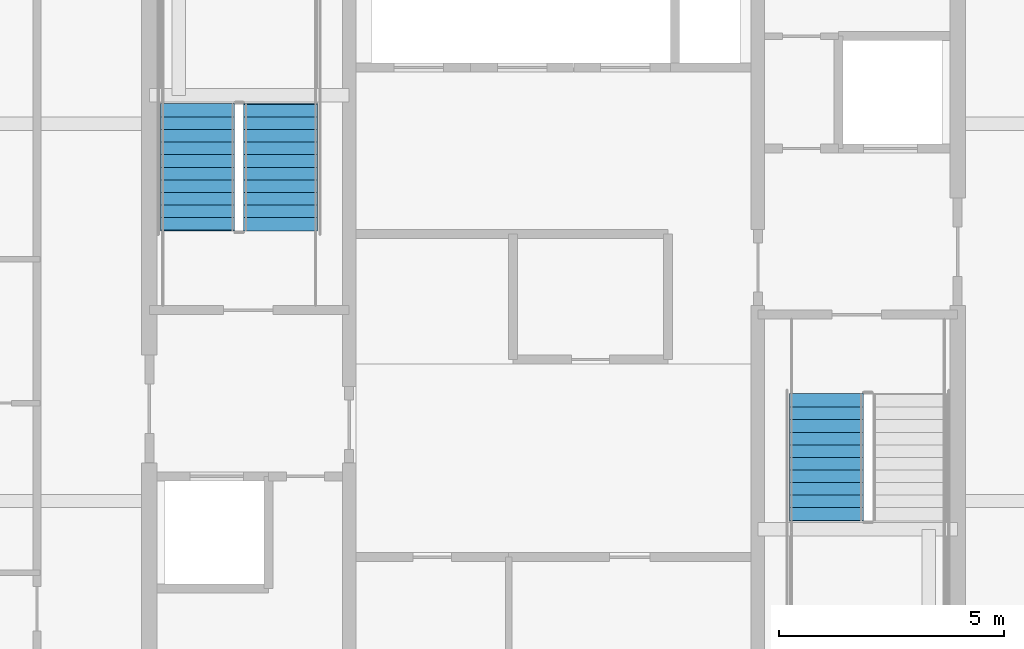
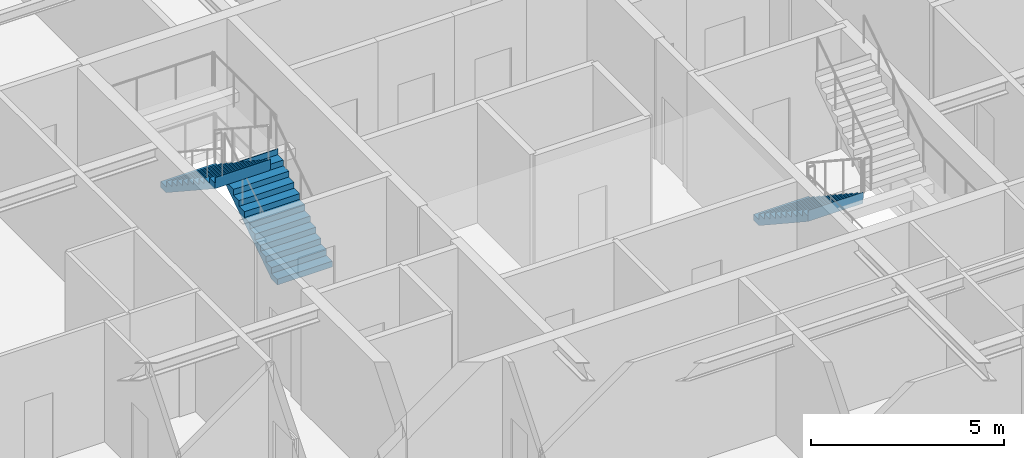
# One storey, part 32 of 38: 3 stair flights, 2 elements without a shape of their own.
"""IFC4 building model written with IfcOpenShell, lengths in metres."""

import ifcopenshell
import ifcopenshell.guid

model = None  # the IFC model being written
_history = None  # IfcOwnerHistory: only IFC2X3 demands one
_inside = {}  # id of a spatial element -> (the spatial element, [elements in it])
_under = {}  # id of a project, library or spatial element -> (it, [spatial elements below it])
_declared = {}  # id of a project -> (the project, [libraries it declares])
_typed = {}  # id of a type object -> (the type object, [elements of that type])
_made_of = {}  # id of a material, layer set ... -> (it, [elements and type objects made of it])


def new_model(schema):
    """Start an empty IFC model of exactly this schema.

    Asked for "IFC4X3", IfcOpenShell would pick the latest addendum, in which some entities
    have other attributes; the version numbers below select the first issue.
    IFC2X3 requires an IfcOwnerHistory on every rooted entity: one is made here for all.
    """
    global model, _history
    if schema == "IFC4X3":
        model = ifcopenshell.file(schema_version=(4, 3, 0, 0))
    else:
        model = ifcopenshell.file(schema=schema)
    _inside.clear()
    _under.clear()
    _declared.clear()
    _typed.clear()
    _made_of.clear()
    _history = None
    if model.schema == "IFC2X3":
        org = make("IfcOrganization", Name="unknown")
        user = make(
            "IfcPersonAndOrganization",
            ThePerson=make("IfcPerson", FamilyName="unknown"),
            TheOrganization=org,
        )
        app = make(
            "IfcApplication",
            ApplicationDeveloper=org,
            Version="unknown",
            ApplicationFullName="unknown",
            ApplicationIdentifier="unknown",
        )
        _history = make(
            "IfcOwnerHistory",
            OwningUser=user,
            OwningApplication=app,
            ChangeAction="ADDED",
            CreationDate=0,
        )
    return model


def make(cls, **values):
    """One entity of the class cls with the attributes given. An attribute that is None is left unset."""
    return model.create_entity(
        cls, **{name: value for name, value in values.items() if value is not None}
    )


def rooted(cls, **values):
    """An entity with a GlobalId (a new one), such as an element, a storey or a relation."""
    return make(cls, GlobalId=ifcopenshell.guid.new(), OwnerHistory=_history, **values)


def si_unit(unit_type, name, prefix=None):
    """IfcSIUnit, for example si_unit("LENGTHUNIT", "METRE", prefix="MILLI")."""
    return make("IfcSIUnit", UnitType=unit_type, Prefix=prefix, Name=name)


def assignment(units):
    """IfcUnitAssignment: the units of a project."""
    return None if units is None else make("IfcUnitAssignment", Units=units)


def point(xyz):
    """IfcCartesianPoint."""
    return None if xyz is None else make("IfcCartesianPoint", Coordinates=xyz)


def direction(xyz):
    """IfcDirection."""
    return None if xyz is None else make("IfcDirection", DirectionRatios=xyz)


def frame(location, z_axis=None, x_axis=None):
    """IfcAxis2Placement3D, a coordinate frame: its origin and axes. An axis left out is left unset."""
    return make(
        "IfcAxis2Placement3D",
        Location=point(location),
        Axis=direction(z_axis),
        RefDirection=direction(x_axis),
    )


def origin():
    """The frame at (0, 0, 0) with its axes left unset."""
    return frame((0.0, 0.0, 0.0))


def place(relative_to, where):
    """IfcLocalPlacement: puts the frame where relative to a parent placement (None: the world)."""
    return make(
        "IfcLocalPlacement", PlacementRelTo=relative_to, RelativePlacement=where
    )


def context(
    kind, dimensions, precision=None, world=None, true_north=None, identifier=None
):
    """IfcGeometricRepresentationContext, for example the 3D "Model" context."""
    return make(
        "IfcGeometricRepresentationContext",
        ContextIdentifier=identifier,
        ContextType=kind,
        CoordinateSpaceDimension=dimensions,
        Precision=precision,
        WorldCoordinateSystem=world,
        TrueNorth=true_north,
    )


def subcontext(parent, identifier, kind, view, scale=None):
    """IfcGeometricRepresentationSubContext, for example "Body" below "Model"."""
    return make(
        "IfcGeometricRepresentationSubContext",
        ContextIdentifier=identifier,
        ContextType=kind,
        ParentContext=parent,
        TargetScale=scale,
        TargetView=view,
    )


def project(units=None, contexts=None):
    """IfcProject with its units and contexts."""
    return rooted(
        "IfcProject",
        Name="project",
        RepresentationContexts=contexts,
        UnitsInContext=assignment(units),
    )


def spatial(cls, under=None, at=None, **own):
    """A site, building, storey or space (cls), placed at a placement, below another one or the project."""
    s = rooted(cls, ObjectPlacement=at, **own)
    if under is not None:
        _under.setdefault(under.id(), (under, []))[1].append(s)
    return s


def point_list(points):
    """IfcCartesianPointList2D or 3D."""
    cls = (
        "IfcCartesianPointList2D" if len(points[0]) == 2 else "IfcCartesianPointList3D"
    )
    return make(cls, CoordList=points)


def polygons(points, faces, closed=None, point_numbers=None):
    """IfcPolygonalFaceSet: a face is its outer loop, then its inner loops; points numbered from 1."""
    made = []
    for loops in faces:
        if len(loops) == 1:
            made.append(make("IfcIndexedPolygonalFace", CoordIndex=loops[0]))
        else:
            made.append(
                make(
                    "IfcIndexedPolygonalFaceWithVoids",
                    CoordIndex=loops[0],
                    InnerCoordIndices=loops[1:],
                )
            )
    return make(
        "IfcPolygonalFaceSet",
        Coordinates=point_list(points),
        Closed=closed,
        Faces=made,
        PnIndex=point_numbers,
    )


def shape(context_of_items, identifier, shape_type, items):
    """IfcShapeRepresentation: the items that make up one representation, for example the "Body"."""
    return make(
        "IfcShapeRepresentation",
        ContextOfItems=context_of_items,
        RepresentationIdentifier=identifier,
        RepresentationType=shape_type,
        Items=items,
    )


def material(Name=None, Category=None):
    """IfcMaterial."""
    return make("IfcMaterial", Name=Name, Category=Category)


def made_of(thing, what):
    """Note that an element or type object is made of a material, layer set ...; save() writes the relation."""
    if what is not None:
        _made_of.setdefault(what.id(), (what, []))[1].append(thing)
    return thing


def type_object(cls, material=None, **own):
    """A type object (cls), such as IfcWallType, which elements share."""
    return made_of(rooted(cls, **own), material)


def element(
    cls,
    number,
    at=None,
    inside=None,
    cuts=None,
    type_object=None,
    material=None,
    context=None,
    identifier="Body",
    shape_type=None,
    held_by="IfcProductDefinitionShape",
    body=None,
    shapes=None,
    **own,
):
    """One element of the class cls, such as IfcWall. Its Tag is "e" and its number.

    at: its placement. inside: the storey or other place that contains it. cuts: it is an
    opening in that element (IfcRelVoidsElement). A single representation is given by context,
    identifier, shape_type and body (its items); several are given by shapes. held_by: the class
    of the entity that holds the representations. save() writes the other relations.
    """
    e = rooted(cls, Tag="e%d" % number, ObjectPlacement=at, **own)
    if body is not None:
        shapes = [shape(context, identifier, shape_type, body)]
    if shapes is not None:
        e.Representation = make(held_by, Representations=shapes)
    if inside is not None:
        _inside.setdefault(inside.id(), (inside, []))[1].append(e)
    if cuts is not None:
        rooted(
            "IfcRelVoidsElement", RelatingBuildingElement=cuts, RelatedOpeningElement=e
        )
    if type_object is not None:
        _typed.setdefault(type_object.id(), (type_object, []))[1].append(e)
    return made_of(e, material)


def aggregate(whole, parts):
    """IfcRelAggregates: a whole, such as a stair, and the parts it consists of."""
    return rooted("IfcRelAggregates", RelatingObject=whole, RelatedObjects=parts)


def save(model, path):
    """Write the relations noted so far, then the file.

    IfcRelAggregates (storeys below a building ...), IfcRelContainedInSpatialStructure (elements
    in a storey), IfcRelDefinesByType, IfcRelAssociatesMaterial and IfcRelDeclares: one each for
    every whole, place, type object, material and project.
    """
    for whole, parts in _under.values():
        aggregate(whole, parts)
    for where, things in _inside.values():
        rooted(
            "IfcRelContainedInSpatialStructure",
            RelatedElements=things,
            RelatingStructure=where,
        )
    for kind, things in _typed.values():
        rooted("IfcRelDefinesByType", RelatedObjects=things, RelatingType=kind)
    for what, things in _made_of.values():
        rooted("IfcRelAssociatesMaterial", RelatedObjects=things, RelatingMaterial=what)
    for by, libraries in _declared.values():
        rooted("IfcRelDeclares", RelatingContext=by, RelatedDefinitions=libraries)
    model.write(path)


model = new_model("IFC4")

# Units and contexts
model_context = context("Model", 3, precision=1e-05, world=origin(), true_north=direction((0.0, 1.0)))
body_context = subcontext(model_context, "Body", "Model", "MODEL_VIEW")
ifc_project = project(units=[si_unit("LENGTHUNIT", "METRE"), si_unit("AREAUNIT", "SQUARE_METRE"), si_unit("VOLUMEUNIT", "CUBIC_METRE"), si_unit("PLANEANGLEUNIT", "RADIAN"), si_unit("MASSUNIT", "GRAM", prefix="KILO")], contexts=[model_context])

# Site, building, storey
site_placement = place(None, origin())
site = spatial("IfcSite", under=ifc_project, at=site_placement, CompositionType="ELEMENT")
building_placement = place(site_placement, origin())
building = spatial("IfcBuilding", under=site, at=building_placement, Name="Serunith Strait Residences", CompositionType="ELEMENT")
storey_placement = place(building_placement, frame((0.0, 0.0, 321.800048828125)))
storey = spatial("IfcBuildingStorey", under=building, at=storey_placement, Name="L80", CompositionType="ELEMENT", Elevation=321.800048828125)

# Stair, stair flights
ifc_material = material(Name="Concrete C50/60", Category="concrete")
stair_type_1 = type_object("IfcStairType", Name="STR-CORE-1", PredefinedType="HALF_TURN_STAIR", material=ifc_material)
stair_1_placement = place(storey_placement, origin())
stair_1 = element("IfcStair", 1, at=stair_1_placement, inside=storey, type_object=stair_type_1, Name="L80 Protected Escape Stair ST-1", PredefinedType="HALF_TURN_STAIR")
stair_flight_type_1 = type_object("IfcStairFlightType", Name="FLT-CORE-1", PredefinedType="STRAIGHT", material=ifc_material)
stair_flight_1_placement = place(storey_placement, frame((26.324951171875, 27.030029296875, 0.0), z_axis=(0.0, 0.0, 1.0), x_axis=(0.0, 1.0, 0.0)))
stair_flight_1 = element("IfcStairFlight", 2, at=stair_flight_1_placement, type_object=stair_flight_type_1, Name="ST-1 flight 1", NumberOfRisers=11, NumberOfTreads=10, PredefinedType="STRAIGHT", RiserHeight=0.184090909, TreadLength=0.28, context=body_context, shape_type="Tessellation", body=[
    polygons([(-0.02001953125, -0.824951171875, 0.0), (-0.02001953125, -0.824951171875, 0.18408203125), (0.280029296875, -0.824951171875, 0.18408203125), (0.280029296875, -0.824951171875, 0.3681640625), (0.56005859375, -0.824951171875, 0.3681640625), (0.56005859375, -0.824951171875, 0.55224609375), (0.840087890625, -0.824951171875, 0.55224609375), (0.840087890625, -0.824951171875, 0.736328125), (1.1201171875, -0.824951171875, 0.736328125), (1.1201171875, -0.824951171875, 0.92041015625), (1.39990234375, -0.824951171875, 0.92041015625), (1.39990234375, -0.824951171875, 1.1044921875), (1.679931640625, -0.824951171875, 1.1044921875), (1.679931640625, -0.824951171875, 1.28857421875), (1.9599609375, -0.824951171875, 1.28857421875), (1.9599609375, -0.824951171875, 1.47265625), (2.239990234375, -0.824951171875, 1.47265625), (2.239990234375, -0.824951171875, 1.65673828125), (2.52001953125, -0.824951171875, 1.65673828125), (2.52001953125, -0.824951171875, 1.8408203125), (2.800048828125, -0.824951171875, 1.8408203125), (2.800048828125, -0.824951171875, 2.02490234375), (2.820068359375, -0.824951171875, 2.02490234375), (2.820068359375, -0.824951171875, 1.965087890625), (2.800048828125, -0.824951171875, 1.66162109375), (0.27294921875, -0.824951171875, 0.0), (-0.02001953125, -0.41259765625, 0.0), (-0.02001953125, -0.41259765625, 0.18408203125), (0.280029296875, -0.41259765625, 0.18408203125), (0.280029296875, -0.41259765625, 0.3681640625), (0.56005859375, -0.41259765625, 0.3681640625), (0.56005859375, -0.41259765625, 0.55224609375), (0.840087890625, -0.41259765625, 0.55224609375), (0.840087890625, -0.41259765625, 0.736328125), (1.1201171875, -0.41259765625, 0.736328125), (1.1201171875, -0.41259765625, 0.92041015625), (1.39990234375, -0.41259765625, 0.92041015625), (1.39990234375, -0.41259765625, 1.1044921875), (1.679931640625, -0.41259765625, 1.1044921875), (1.679931640625, -0.41259765625, 1.28857421875), (1.9599609375, -0.41259765625, 1.28857421875), (1.9599609375, -0.41259765625, 1.47265625), (2.239990234375, -0.41259765625, 1.47265625), (2.239990234375, -0.41259765625, 1.65673828125), (2.52001953125, -0.41259765625, 1.65673828125), (2.52001953125, -0.41259765625, 1.8408203125), (2.800048828125, -0.41259765625, 1.8408203125), (2.800048828125, -0.41259765625, 2.02490234375), (2.820068359375, -0.41259765625, 2.02490234375), (2.820068359375, -0.41259765625, 1.965087890625), (2.800048828125, -0.41259765625, 1.66162109375), (0.27294921875, -0.41259765625, 0.0), (-0.02001953125, 0.0, 0.0), (-0.02001953125, 0.0, 0.18408203125), (0.280029296875, 0.0, 0.18408203125), (0.280029296875, 0.0, 0.3681640625), (0.56005859375, 0.0, 0.3681640625), (0.56005859375, 0.0, 0.55224609375), (0.840087890625, 0.0, 0.55224609375), (0.840087890625, 0.0, 0.736328125), (1.1201171875, 0.0, 0.736328125), (1.1201171875, 0.0, 0.92041015625), (1.39990234375, 0.0, 0.92041015625), (1.39990234375, 0.0, 1.1044921875), (1.679931640625, 0.0, 1.1044921875), (1.679931640625, 0.0, 1.28857421875), (1.9599609375, 0.0, 1.28857421875), (1.9599609375, 0.0, 1.47265625), (2.239990234375, 0.0, 1.47265625), (2.239990234375, 0.0, 1.65673828125), (2.52001953125, 0.0, 1.65673828125), (2.52001953125, 0.0, 1.8408203125), (2.800048828125, 0.0, 1.8408203125), (2.800048828125, 0.0, 2.02490234375), (2.820068359375, 0.0, 2.02490234375), (2.820068359375, 0.0, 1.965087890625), (2.800048828125, 0.0, 1.66162109375), (0.27294921875, 0.0, 0.0), (-0.02001953125, 0.41259765625, 0.0), (-0.02001953125, 0.41259765625, 0.18408203125), (0.280029296875, 0.41259765625, 0.18408203125), (0.280029296875, 0.41259765625, 0.3681640625), (0.56005859375, 0.41259765625, 0.3681640625), (0.56005859375, 0.41259765625, 0.55224609375), (0.840087890625, 0.41259765625, 0.55224609375), (0.840087890625, 0.41259765625, 0.736328125), (1.1201171875, 0.41259765625, 0.736328125), (1.1201171875, 0.41259765625, 0.92041015625), (1.39990234375, 0.41259765625, 0.92041015625), (1.39990234375, 0.41259765625, 1.1044921875), (1.679931640625, 0.41259765625, 1.1044921875), (1.679931640625, 0.41259765625, 1.28857421875), (1.9599609375, 0.41259765625, 1.28857421875), (1.9599609375, 0.41259765625, 1.47265625), (2.239990234375, 0.41259765625, 1.47265625), (2.239990234375, 0.41259765625, 1.65673828125), (2.52001953125, 0.41259765625, 1.65673828125), (2.52001953125, 0.41259765625, 1.8408203125), (2.800048828125, 0.41259765625, 1.8408203125), (2.800048828125, 0.41259765625, 2.02490234375), (2.820068359375, 0.41259765625, 2.02490234375), (2.820068359375, 0.41259765625, 1.965087890625), (2.800048828125, 0.41259765625, 1.66162109375), (0.27294921875, 0.41259765625, 0.0), (-0.02001953125, 0.824951171875, 0.0), (-0.02001953125, 0.824951171875, 0.18408203125), (0.280029296875, 0.824951171875, 0.18408203125), (0.280029296875, 0.824951171875, 0.3681640625), (0.56005859375, 0.824951171875, 0.3681640625), (0.56005859375, 0.824951171875, 0.55224609375), (0.840087890625, 0.824951171875, 0.55224609375), (0.840087890625, 0.824951171875, 0.736328125), (1.1201171875, 0.824951171875, 0.736328125), (1.1201171875, 0.824951171875, 0.92041015625), (1.39990234375, 0.824951171875, 0.92041015625), (1.39990234375, 0.824951171875, 1.1044921875), (1.679931640625, 0.824951171875, 1.1044921875), (1.679931640625, 0.824951171875, 1.28857421875), (1.9599609375, 0.824951171875, 1.28857421875), (1.9599609375, 0.824951171875, 1.47265625), (2.239990234375, 0.824951171875, 1.47265625), (2.239990234375, 0.824951171875, 1.65673828125), (2.52001953125, 0.824951171875, 1.65673828125), (2.52001953125, 0.824951171875, 1.8408203125), (2.800048828125, 0.824951171875, 1.8408203125), (2.800048828125, 0.824951171875, 2.02490234375), (2.820068359375, 0.824951171875, 2.02490234375), (2.820068359375, 0.824951171875, 1.965087890625), (2.800048828125, 0.824951171875, 1.66162109375), (0.27294921875, 0.824951171875, 0.0)], [[[1, 2, 28, 27]], [[2, 3, 29, 28]], [[3, 4, 30, 29]], [[4, 5, 31, 30]], [[5, 6, 32, 31]], [[6, 7, 33, 32]], [[7, 8, 34, 33]], [[8, 9, 35, 34]], [[9, 10, 36, 35]], [[10, 11, 37, 36]], [[11, 12, 38, 37]], [[12, 13, 39, 38]], [[13, 14, 40, 39]], [[14, 15, 41, 40]], [[15, 16, 42, 41]], [[16, 17, 43, 42]], [[17, 18, 44, 43]], [[18, 19, 45, 44]], [[19, 20, 46, 45]], [[20, 21, 47, 46]], [[21, 22, 48, 47]], [[22, 23, 49, 48]], [[23, 24, 50, 49]], [[24, 25, 51, 50]], [[25, 26, 52, 51]], [[26, 1, 27, 52]], [[27, 28, 54, 53]], [[28, 29, 55, 54]], [[29, 30, 56, 55]], [[30, 31, 57, 56]], [[31, 32, 58, 57]], [[32, 33, 59, 58]], [[33, 34, 60, 59]], [[34, 35, 61, 60]], [[35, 36, 62, 61]], [[36, 37, 63, 62]], [[37, 38, 64, 63]], [[38, 39, 65, 64]], [[39, 40, 66, 65]], [[40, 41, 67, 66]], [[41, 42, 68, 67]], [[42, 43, 69, 68]], [[43, 44, 70, 69]], [[44, 45, 71, 70]], [[45, 46, 72, 71]], [[46, 47, 73, 72]], [[47, 48, 74, 73]], [[48, 49, 75, 74]], [[49, 50, 76, 75]], [[50, 51, 77, 76]], [[51, 52, 78, 77]], [[52, 27, 53, 78]], [[53, 54, 80, 79]], [[54, 55, 81, 80]], [[55, 56, 82, 81]], [[56, 57, 83, 82]], [[57, 58, 84, 83]], [[58, 59, 85, 84]], [[59, 60, 86, 85]], [[60, 61, 87, 86]], [[61, 62, 88, 87]], [[62, 63, 89, 88]], [[63, 64, 90, 89]], [[64, 65, 91, 90]], [[65, 66, 92, 91]], [[66, 67, 93, 92]], [[67, 68, 94, 93]], [[68, 69, 95, 94]], [[69, 70, 96, 95]], [[70, 71, 97, 96]], [[71, 72, 98, 97]], [[72, 73, 99, 98]], [[73, 74, 100, 99]], [[74, 75, 101, 100]], [[75, 76, 102, 101]], [[76, 77, 103, 102]], [[77, 78, 104, 103]], [[78, 53, 79, 104]], [[79, 80, 106, 105]], [[80, 81, 107, 106]], [[81, 82, 108, 107]], [[82, 83, 109, 108]], [[83, 84, 110, 109]], [[84, 85, 111, 110]], [[85, 86, 112, 111]], [[86, 87, 113, 112]], [[87, 88, 114, 113]], [[88, 89, 115, 114]], [[89, 90, 116, 115]], [[90, 91, 117, 116]], [[91, 92, 118, 117]], [[92, 93, 119, 118]], [[93, 94, 120, 119]], [[94, 95, 121, 120]], [[95, 96, 122, 121]], [[96, 97, 123, 122]], [[97, 98, 124, 123]], [[98, 99, 125, 124]], [[99, 100, 126, 125]], [[100, 101, 127, 126]], [[101, 102, 128, 127]], [[102, 103, 129, 128]], [[103, 104, 130, 129]], [[104, 79, 105, 130]], [[26, 25, 24, 23, 22, 21, 20, 19, 18, 17, 16, 15, 14, 13, 12, 11, 10, 9, 8, 7, 6, 5, 4, 3, 2, 1]], [[105, 106, 107, 108, 109, 110, 111, 112, 113, 114, 115, 116, 117, 118, 119, 120, 121, 122, 123, 124, 125, 126, 127, 128, 129, 130]]], closed=True),
])
stair_flight_2_placement = place(storey_placement, frame((24.47509765625, 29.830078125, 2.02490234375), z_axis=(0.0, 0.0, 1.0), x_axis=(0.0, -1.0, 0.0)))
stair_flight_2 = element("IfcStairFlight", 3, at=stair_flight_2_placement, type_object=stair_flight_type_1, Name="ST-1 flight 2", NumberOfRisers=11, NumberOfTreads=10, PredefinedType="STRAIGHT", RiserHeight=0.184090909, TreadLength=0.28, context=body_context, shape_type="Tessellation", body=[
    polygons([(-0.02001953125, -0.824951171875, 0.0), (-0.02001953125, -0.824951171875, 0.18408203125), (0.280029296875, -0.824951171875, 0.18408203125), (0.280029296875, -0.824951171875, 0.3681640625), (0.56005859375, -0.824951171875, 0.3681640625), (0.56005859375, -0.824951171875, 0.55224609375), (0.840087890625, -0.824951171875, 0.55224609375), (0.840087890625, -0.824951171875, 0.736328125), (1.1201171875, -0.824951171875, 0.736328125), (1.1201171875, -0.824951171875, 0.92041015625), (1.39990234375, -0.824951171875, 0.92041015625), (1.39990234375, -0.824951171875, 1.1044921875), (1.679931640625, -0.824951171875, 1.1044921875), (1.679931640625, -0.824951171875, 1.28857421875), (1.9599609375, -0.824951171875, 1.28857421875), (1.9599609375, -0.824951171875, 1.47265625), (2.239990234375, -0.824951171875, 1.47265625), (2.239990234375, -0.824951171875, 1.65673828125), (2.52001953125, -0.824951171875, 1.65673828125), (2.52001953125, -0.824951171875, 1.8408203125), (2.800048828125, -0.824951171875, 1.8408203125), (2.800048828125, -0.824951171875, 2.02490234375), (2.820068359375, -0.824951171875, 2.02490234375), (2.820068359375, -0.824951171875, 1.965087890625), (2.800048828125, -0.824951171875, 1.66162109375), (0.27294921875, -0.824951171875, 0.0), (-0.02001953125, -0.41259765625, 0.0), (-0.02001953125, -0.41259765625, 0.18408203125), (0.280029296875, -0.41259765625, 0.18408203125), (0.280029296875, -0.41259765625, 0.3681640625), (0.56005859375, -0.41259765625, 0.3681640625), (0.56005859375, -0.41259765625, 0.55224609375), (0.840087890625, -0.41259765625, 0.55224609375), (0.840087890625, -0.41259765625, 0.736328125), (1.1201171875, -0.41259765625, 0.736328125), (1.1201171875, -0.41259765625, 0.92041015625), (1.39990234375, -0.41259765625, 0.92041015625), (1.39990234375, -0.41259765625, 1.1044921875), (1.679931640625, -0.41259765625, 1.1044921875), (1.679931640625, -0.41259765625, 1.28857421875), (1.9599609375, -0.41259765625, 1.28857421875), (1.9599609375, -0.41259765625, 1.47265625), (2.239990234375, -0.41259765625, 1.47265625), (2.239990234375, -0.41259765625, 1.65673828125), (2.52001953125, -0.41259765625, 1.65673828125), (2.52001953125, -0.41259765625, 1.8408203125), (2.800048828125, -0.41259765625, 1.8408203125), (2.800048828125, -0.41259765625, 2.02490234375), (2.820068359375, -0.41259765625, 2.02490234375), (2.820068359375, -0.41259765625, 1.965087890625), (2.800048828125, -0.41259765625, 1.66162109375), (0.27294921875, -0.41259765625, 0.0), (-0.02001953125, 0.0, 0.0), (-0.02001953125, 0.0, 0.18408203125), (0.280029296875, 0.0, 0.18408203125), (0.280029296875, 0.0, 0.3681640625), (0.56005859375, 0.0, 0.3681640625), (0.56005859375, 0.0, 0.55224609375), (0.840087890625, 0.0, 0.55224609375), (0.840087890625, 0.0, 0.736328125), (1.1201171875, 0.0, 0.736328125), (1.1201171875, 0.0, 0.92041015625), (1.39990234375, 0.0, 0.92041015625), (1.39990234375, 0.0, 1.1044921875), (1.679931640625, 0.0, 1.1044921875), (1.679931640625, 0.0, 1.28857421875), (1.9599609375, 0.0, 1.28857421875), (1.9599609375, 0.0, 1.47265625), (2.239990234375, 0.0, 1.47265625), (2.239990234375, 0.0, 1.65673828125), (2.52001953125, 0.0, 1.65673828125), (2.52001953125, 0.0, 1.8408203125), (2.800048828125, 0.0, 1.8408203125), (2.800048828125, 0.0, 2.02490234375), (2.820068359375, 0.0, 2.02490234375), (2.820068359375, 0.0, 1.965087890625), (2.800048828125, 0.0, 1.66162109375), (0.27294921875, 0.0, 0.0), (-0.02001953125, 0.41259765625, 0.0), (-0.02001953125, 0.41259765625, 0.18408203125), (0.280029296875, 0.41259765625, 0.18408203125), (0.280029296875, 0.41259765625, 0.3681640625), (0.56005859375, 0.41259765625, 0.3681640625), (0.56005859375, 0.41259765625, 0.55224609375), (0.840087890625, 0.41259765625, 0.55224609375), (0.840087890625, 0.41259765625, 0.736328125), (1.1201171875, 0.41259765625, 0.736328125), (1.1201171875, 0.41259765625, 0.92041015625), (1.39990234375, 0.41259765625, 0.92041015625), (1.39990234375, 0.41259765625, 1.1044921875), (1.679931640625, 0.41259765625, 1.1044921875), (1.679931640625, 0.41259765625, 1.28857421875), (1.9599609375, 0.41259765625, 1.28857421875), (1.9599609375, 0.41259765625, 1.47265625), (2.239990234375, 0.41259765625, 1.47265625), (2.239990234375, 0.41259765625, 1.65673828125), (2.52001953125, 0.41259765625, 1.65673828125), (2.52001953125, 0.41259765625, 1.8408203125), (2.800048828125, 0.41259765625, 1.8408203125), (2.800048828125, 0.41259765625, 2.02490234375), (2.820068359375, 0.41259765625, 2.02490234375), (2.820068359375, 0.41259765625, 1.965087890625), (2.800048828125, 0.41259765625, 1.66162109375), (0.27294921875, 0.41259765625, 0.0), (-0.02001953125, 0.824951171875, 0.0), (-0.02001953125, 0.824951171875, 0.18408203125), (0.280029296875, 0.824951171875, 0.18408203125), (0.280029296875, 0.824951171875, 0.3681640625), (0.56005859375, 0.824951171875, 0.3681640625), (0.56005859375, 0.824951171875, 0.55224609375), (0.840087890625, 0.824951171875, 0.55224609375), (0.840087890625, 0.824951171875, 0.736328125), (1.1201171875, 0.824951171875, 0.736328125), (1.1201171875, 0.824951171875, 0.92041015625), (1.39990234375, 0.824951171875, 0.92041015625), (1.39990234375, 0.824951171875, 1.1044921875), (1.679931640625, 0.824951171875, 1.1044921875), (1.679931640625, 0.824951171875, 1.28857421875), (1.9599609375, 0.824951171875, 1.28857421875), (1.9599609375, 0.824951171875, 1.47265625), (2.239990234375, 0.824951171875, 1.47265625), (2.239990234375, 0.824951171875, 1.65673828125), (2.52001953125, 0.824951171875, 1.65673828125), (2.52001953125, 0.824951171875, 1.8408203125), (2.800048828125, 0.824951171875, 1.8408203125), (2.800048828125, 0.824951171875, 2.02490234375), (2.820068359375, 0.824951171875, 2.02490234375), (2.820068359375, 0.824951171875, 1.965087890625), (2.800048828125, 0.824951171875, 1.66162109375), (0.27294921875, 0.824951171875, 0.0)], [[[1, 2, 28, 27]], [[2, 3, 29, 28]], [[3, 4, 30, 29]], [[4, 5, 31, 30]], [[5, 6, 32, 31]], [[6, 7, 33, 32]], [[7, 8, 34, 33]], [[8, 9, 35, 34]], [[9, 10, 36, 35]], [[10, 11, 37, 36]], [[11, 12, 38, 37]], [[12, 13, 39, 38]], [[13, 14, 40, 39]], [[14, 15, 41, 40]], [[15, 16, 42, 41]], [[16, 17, 43, 42]], [[17, 18, 44, 43]], [[18, 19, 45, 44]], [[19, 20, 46, 45]], [[20, 21, 47, 46]], [[21, 22, 48, 47]], [[22, 23, 49, 48]], [[23, 24, 50, 49]], [[24, 25, 51, 50]], [[25, 26, 52, 51]], [[26, 1, 27, 52]], [[27, 28, 54, 53]], [[28, 29, 55, 54]], [[29, 30, 56, 55]], [[30, 31, 57, 56]], [[31, 32, 58, 57]], [[32, 33, 59, 58]], [[33, 34, 60, 59]], [[34, 35, 61, 60]], [[35, 36, 62, 61]], [[36, 37, 63, 62]], [[37, 38, 64, 63]], [[38, 39, 65, 64]], [[39, 40, 66, 65]], [[40, 41, 67, 66]], [[41, 42, 68, 67]], [[42, 43, 69, 68]], [[43, 44, 70, 69]], [[44, 45, 71, 70]], [[45, 46, 72, 71]], [[46, 47, 73, 72]], [[47, 48, 74, 73]], [[48, 49, 75, 74]], [[49, 50, 76, 75]], [[50, 51, 77, 76]], [[51, 52, 78, 77]], [[52, 27, 53, 78]], [[53, 54, 80, 79]], [[54, 55, 81, 80]], [[55, 56, 82, 81]], [[56, 57, 83, 82]], [[57, 58, 84, 83]], [[58, 59, 85, 84]], [[59, 60, 86, 85]], [[60, 61, 87, 86]], [[61, 62, 88, 87]], [[62, 63, 89, 88]], [[63, 64, 90, 89]], [[64, 65, 91, 90]], [[65, 66, 92, 91]], [[66, 67, 93, 92]], [[67, 68, 94, 93]], [[68, 69, 95, 94]], [[69, 70, 96, 95]], [[70, 71, 97, 96]], [[71, 72, 98, 97]], [[72, 73, 99, 98]], [[73, 74, 100, 99]], [[74, 75, 101, 100]], [[75, 76, 102, 101]], [[76, 77, 103, 102]], [[77, 78, 104, 103]], [[78, 53, 79, 104]], [[79, 80, 106, 105]], [[80, 81, 107, 106]], [[81, 82, 108, 107]], [[82, 83, 109, 108]], [[83, 84, 110, 109]], [[84, 85, 111, 110]], [[85, 86, 112, 111]], [[86, 87, 113, 112]], [[87, 88, 114, 113]], [[88, 89, 115, 114]], [[89, 90, 116, 115]], [[90, 91, 117, 116]], [[91, 92, 118, 117]], [[92, 93, 119, 118]], [[93, 94, 120, 119]], [[94, 95, 121, 120]], [[95, 96, 122, 121]], [[96, 97, 123, 122]], [[97, 98, 124, 123]], [[98, 99, 125, 124]], [[99, 100, 126, 125]], [[100, 101, 127, 126]], [[101, 102, 128, 127]], [[102, 103, 129, 128]], [[103, 104, 130, 129]], [[104, 79, 105, 130]], [[26, 25, 24, 23, 22, 21, 20, 19, 18, 17, 16, 15, 14, 13, 12, 11, 10, 9, 8, 7, 6, 5, 4, 3, 2, 1]], [[105, 106, 107, 108, 109, 110, 111, 112, 113, 114, 115, 116, 117, 118, 119, 120, 121, 122, 123, 124, 125, 126, 127, 128, 129, 130]]], closed=True),
])
aggregate(stair_1, [stair_flight_1, stair_flight_2])

# Stair, stair flight
stair_type_2 = type_object("IfcStairType", Name="STR-CORE-2", PredefinedType="HALF_TURN_STAIR", material=ifc_material)
stair_2_placement = place(storey_placement, origin())
stair_2 = element("IfcStair", 4, at=stair_2_placement, inside=storey, type_object=stair_type_2, Name="L80 Protected Escape Stair ST-2", PredefinedType="HALF_TURN_STAIR")
stair_flight_type_2 = type_object("IfcStairFlightType", Name="FLT-CORE-2", PredefinedType="STRAIGHT", material=ifc_material)
stair_flight_3_placement = place(storey_placement, frame((38.47509765625, 23.3701171875, 0.0), z_axis=(0.0, 0.0, 1.0), x_axis=(0.0, -1.0, 0.0)))
stair_flight_3 = element("IfcStairFlight", 5, at=stair_flight_3_placement, type_object=stair_flight_type_2, Name="ST-2 flight 1", NumberOfRisers=11, NumberOfTreads=10, PredefinedType="STRAIGHT", RiserHeight=0.184090909, TreadLength=0.28, context=body_context, shape_type="Tessellation", body=[
    polygons([(-0.02001953125, -0.824951171875, 0.0), (-0.02001953125, -0.824951171875, 0.18408203125), (0.280029296875, -0.824951171875, 0.18408203125), (0.280029296875, -0.824951171875, 0.3681640625), (0.56005859375, -0.824951171875, 0.3681640625), (0.56005859375, -0.824951171875, 0.55224609375), (0.840087890625, -0.824951171875, 0.55224609375), (0.840087890625, -0.824951171875, 0.736328125), (1.1201171875, -0.824951171875, 0.736328125), (1.1201171875, -0.824951171875, 0.92041015625), (1.39990234375, -0.824951171875, 0.92041015625), (1.39990234375, -0.824951171875, 1.1044921875), (1.679931640625, -0.824951171875, 1.1044921875), (1.679931640625, -0.824951171875, 1.28857421875), (1.9599609375, -0.824951171875, 1.28857421875), (1.9599609375, -0.824951171875, 1.47265625), (2.239990234375, -0.824951171875, 1.47265625), (2.239990234375, -0.824951171875, 1.65673828125), (2.52001953125, -0.824951171875, 1.65673828125), (2.52001953125, -0.824951171875, 1.8408203125), (2.800048828125, -0.824951171875, 1.8408203125), (2.800048828125, -0.824951171875, 2.02490234375), (2.820068359375, -0.824951171875, 2.02490234375), (2.820068359375, -0.824951171875, 1.965087890625), (2.800048828125, -0.824951171875, 1.66162109375), (0.27294921875, -0.824951171875, 0.0), (-0.02001953125, -0.41259765625, 0.0), (-0.02001953125, -0.41259765625, 0.18408203125), (0.280029296875, -0.41259765625, 0.18408203125), (0.280029296875, -0.41259765625, 0.3681640625), (0.56005859375, -0.41259765625, 0.3681640625), (0.56005859375, -0.41259765625, 0.55224609375), (0.840087890625, -0.41259765625, 0.55224609375), (0.840087890625, -0.41259765625, 0.736328125), (1.1201171875, -0.41259765625, 0.736328125), (1.1201171875, -0.41259765625, 0.92041015625), (1.39990234375, -0.41259765625, 0.92041015625), (1.39990234375, -0.41259765625, 1.1044921875), (1.679931640625, -0.41259765625, 1.1044921875), (1.679931640625, -0.41259765625, 1.28857421875), (1.9599609375, -0.41259765625, 1.28857421875), (1.9599609375, -0.41259765625, 1.47265625), (2.239990234375, -0.41259765625, 1.47265625), (2.239990234375, -0.41259765625, 1.65673828125), (2.52001953125, -0.41259765625, 1.65673828125), (2.52001953125, -0.41259765625, 1.8408203125), (2.800048828125, -0.41259765625, 1.8408203125), (2.800048828125, -0.41259765625, 2.02490234375), (2.820068359375, -0.41259765625, 2.02490234375), (2.820068359375, -0.41259765625, 1.965087890625), (2.800048828125, -0.41259765625, 1.66162109375), (0.27294921875, -0.41259765625, 0.0), (-0.02001953125, 0.0, 0.0), (-0.02001953125, 0.0, 0.18408203125), (0.280029296875, 0.0, 0.18408203125), (0.280029296875, 0.0, 0.3681640625), (0.56005859375, 0.0, 0.3681640625), (0.56005859375, 0.0, 0.55224609375), (0.840087890625, 0.0, 0.55224609375), (0.840087890625, 0.0, 0.736328125), (1.1201171875, 0.0, 0.736328125), (1.1201171875, 0.0, 0.92041015625), (1.39990234375, 0.0, 0.92041015625), (1.39990234375, 0.0, 1.1044921875), (1.679931640625, 0.0, 1.1044921875), (1.679931640625, 0.0, 1.28857421875), (1.9599609375, 0.0, 1.28857421875), (1.9599609375, 0.0, 1.47265625), (2.239990234375, 0.0, 1.47265625), (2.239990234375, 0.0, 1.65673828125), (2.52001953125, 0.0, 1.65673828125), (2.52001953125, 0.0, 1.8408203125), (2.800048828125, 0.0, 1.8408203125), (2.800048828125, 0.0, 2.02490234375), (2.820068359375, 0.0, 2.02490234375), (2.820068359375, 0.0, 1.965087890625), (2.800048828125, 0.0, 1.66162109375), (0.27294921875, 0.0, 0.0), (-0.02001953125, 0.41259765625, 0.0), (-0.02001953125, 0.41259765625, 0.18408203125), (0.280029296875, 0.41259765625, 0.18408203125), (0.280029296875, 0.41259765625, 0.3681640625), (0.56005859375, 0.41259765625, 0.3681640625), (0.56005859375, 0.41259765625, 0.55224609375), (0.840087890625, 0.41259765625, 0.55224609375), (0.840087890625, 0.41259765625, 0.736328125), (1.1201171875, 0.41259765625, 0.736328125), (1.1201171875, 0.41259765625, 0.92041015625), (1.39990234375, 0.41259765625, 0.92041015625), (1.39990234375, 0.41259765625, 1.1044921875), (1.679931640625, 0.41259765625, 1.1044921875), (1.679931640625, 0.41259765625, 1.28857421875), (1.9599609375, 0.41259765625, 1.28857421875), (1.9599609375, 0.41259765625, 1.47265625), (2.239990234375, 0.41259765625, 1.47265625), (2.239990234375, 0.41259765625, 1.65673828125), (2.52001953125, 0.41259765625, 1.65673828125), (2.52001953125, 0.41259765625, 1.8408203125), (2.800048828125, 0.41259765625, 1.8408203125), (2.800048828125, 0.41259765625, 2.02490234375), (2.820068359375, 0.41259765625, 2.02490234375), (2.820068359375, 0.41259765625, 1.965087890625), (2.800048828125, 0.41259765625, 1.66162109375), (0.27294921875, 0.41259765625, 0.0), (-0.02001953125, 0.824951171875, 0.0), (-0.02001953125, 0.824951171875, 0.18408203125), (0.280029296875, 0.824951171875, 0.18408203125), (0.280029296875, 0.824951171875, 0.3681640625), (0.56005859375, 0.824951171875, 0.3681640625), (0.56005859375, 0.824951171875, 0.55224609375), (0.840087890625, 0.824951171875, 0.55224609375), (0.840087890625, 0.824951171875, 0.736328125), (1.1201171875, 0.824951171875, 0.736328125), (1.1201171875, 0.824951171875, 0.92041015625), (1.39990234375, 0.824951171875, 0.92041015625), (1.39990234375, 0.824951171875, 1.1044921875), (1.679931640625, 0.824951171875, 1.1044921875), (1.679931640625, 0.824951171875, 1.28857421875), (1.9599609375, 0.824951171875, 1.28857421875), (1.9599609375, 0.824951171875, 1.47265625), (2.239990234375, 0.824951171875, 1.47265625), (2.239990234375, 0.824951171875, 1.65673828125), (2.52001953125, 0.824951171875, 1.65673828125), (2.52001953125, 0.824951171875, 1.8408203125), (2.800048828125, 0.824951171875, 1.8408203125), (2.800048828125, 0.824951171875, 2.02490234375), (2.820068359375, 0.824951171875, 2.02490234375), (2.820068359375, 0.824951171875, 1.965087890625), (2.800048828125, 0.824951171875, 1.66162109375), (0.27294921875, 0.824951171875, 0.0)], [[[1, 2, 28, 27]], [[2, 3, 29, 28]], [[3, 4, 30, 29]], [[4, 5, 31, 30]], [[5, 6, 32, 31]], [[6, 7, 33, 32]], [[7, 8, 34, 33]], [[8, 9, 35, 34]], [[9, 10, 36, 35]], [[10, 11, 37, 36]], [[11, 12, 38, 37]], [[12, 13, 39, 38]], [[13, 14, 40, 39]], [[14, 15, 41, 40]], [[15, 16, 42, 41]], [[16, 17, 43, 42]], [[17, 18, 44, 43]], [[18, 19, 45, 44]], [[19, 20, 46, 45]], [[20, 21, 47, 46]], [[21, 22, 48, 47]], [[22, 23, 49, 48]], [[23, 24, 50, 49]], [[24, 25, 51, 50]], [[25, 26, 52, 51]], [[26, 1, 27, 52]], [[27, 28, 54, 53]], [[28, 29, 55, 54]], [[29, 30, 56, 55]], [[30, 31, 57, 56]], [[31, 32, 58, 57]], [[32, 33, 59, 58]], [[33, 34, 60, 59]], [[34, 35, 61, 60]], [[35, 36, 62, 61]], [[36, 37, 63, 62]], [[37, 38, 64, 63]], [[38, 39, 65, 64]], [[39, 40, 66, 65]], [[40, 41, 67, 66]], [[41, 42, 68, 67]], [[42, 43, 69, 68]], [[43, 44, 70, 69]], [[44, 45, 71, 70]], [[45, 46, 72, 71]], [[46, 47, 73, 72]], [[47, 48, 74, 73]], [[48, 49, 75, 74]], [[49, 50, 76, 75]], [[50, 51, 77, 76]], [[51, 52, 78, 77]], [[52, 27, 53, 78]], [[53, 54, 80, 79]], [[54, 55, 81, 80]], [[55, 56, 82, 81]], [[56, 57, 83, 82]], [[57, 58, 84, 83]], [[58, 59, 85, 84]], [[59, 60, 86, 85]], [[60, 61, 87, 86]], [[61, 62, 88, 87]], [[62, 63, 89, 88]], [[63, 64, 90, 89]], [[64, 65, 91, 90]], [[65, 66, 92, 91]], [[66, 67, 93, 92]], [[67, 68, 94, 93]], [[68, 69, 95, 94]], [[69, 70, 96, 95]], [[70, 71, 97, 96]], [[71, 72, 98, 97]], [[72, 73, 99, 98]], [[73, 74, 100, 99]], [[74, 75, 101, 100]], [[75, 76, 102, 101]], [[76, 77, 103, 102]], [[77, 78, 104, 103]], [[78, 53, 79, 104]], [[79, 80, 106, 105]], [[80, 81, 107, 106]], [[81, 82, 108, 107]], [[82, 83, 109, 108]], [[83, 84, 110, 109]], [[84, 85, 111, 110]], [[85, 86, 112, 111]], [[86, 87, 113, 112]], [[87, 88, 114, 113]], [[88, 89, 115, 114]], [[89, 90, 116, 115]], [[90, 91, 117, 116]], [[91, 92, 118, 117]], [[92, 93, 119, 118]], [[93, 94, 120, 119]], [[94, 95, 121, 120]], [[95, 96, 122, 121]], [[96, 97, 123, 122]], [[97, 98, 124, 123]], [[98, 99, 125, 124]], [[99, 100, 126, 125]], [[100, 101, 127, 126]], [[101, 102, 128, 127]], [[102, 103, 129, 128]], [[103, 104, 130, 129]], [[104, 79, 105, 130]], [[26, 25, 24, 23, 22, 21, 20, 19, 18, 17, 16, 15, 14, 13, 12, 11, 10, 9, 8, 7, 6, 5, 4, 3, 2, 1]], [[105, 106, 107, 108, 109, 110, 111, 112, 113, 114, 115, 116, 117, 118, 119, 120, 121, 122, 123, 124, 125, 126, 127, 128, 129, 130]]], closed=True),
])
aggregate(stair_2, [stair_flight_3])

save(model, "model.ifc")
